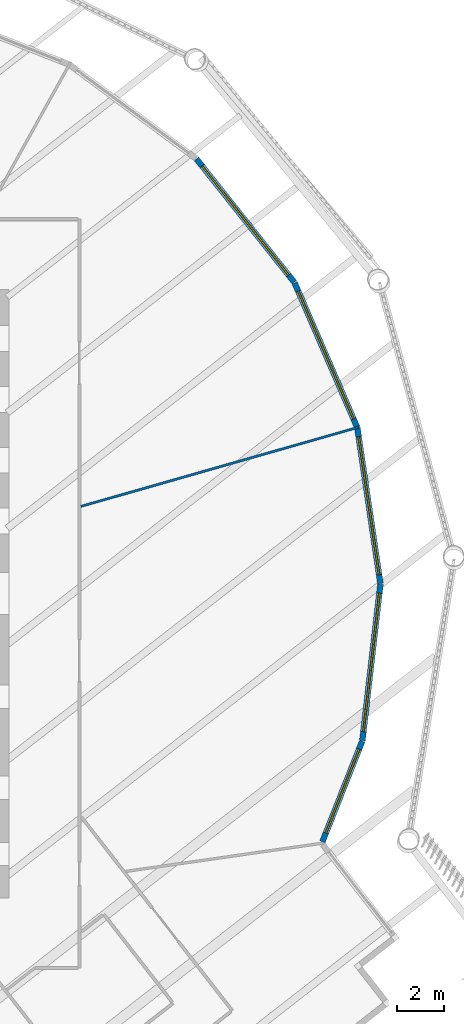
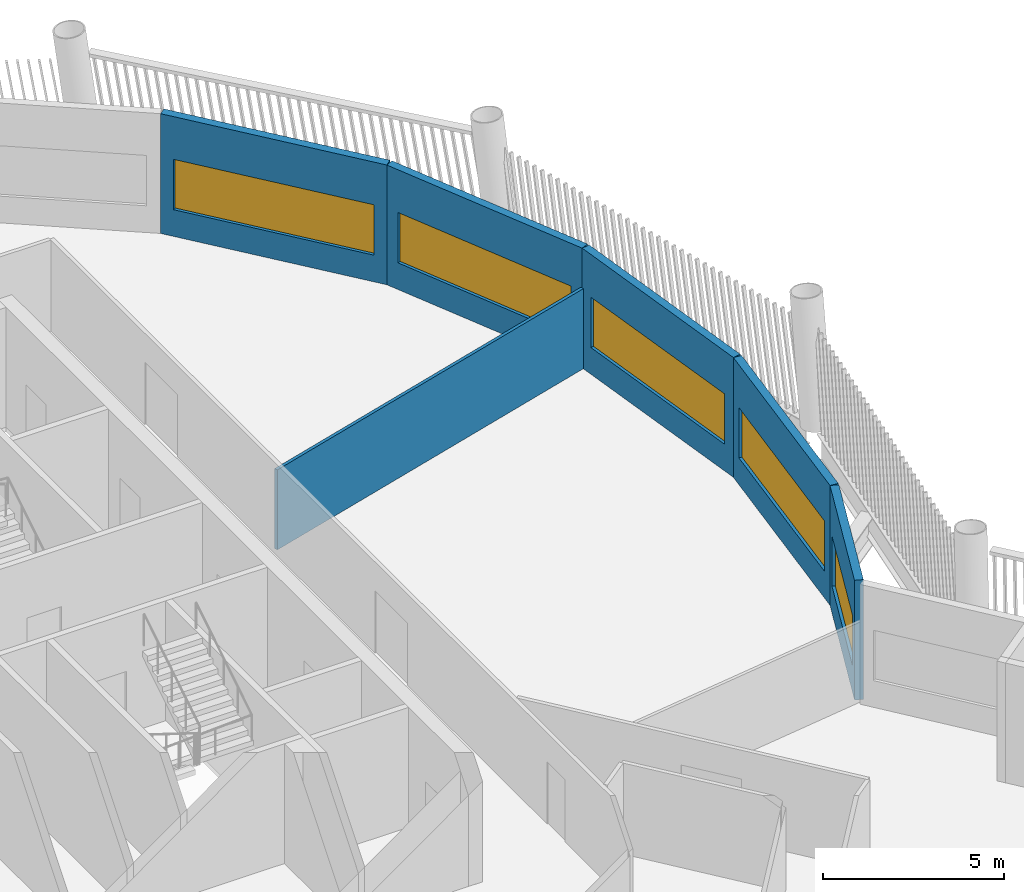
# One storey, part 20 of 28: 6 walls, 5 windows, 5 openings.
"""IFC4 building model written with IfcOpenShell, lengths in metres."""

from ifc_helpers import new_model, si_unit, direction, frame, frame_2d, origin, place, context, subcontext, project, spatial, rectangle, extrude, material, layer, layer_set, type_object, element, fill, save


model = new_model("IFC4")

# Units and contexts
model_context = context("Model", 3, precision=1e-05, world=origin(), true_north=direction((0.0, 1.0)))
body_context = subcontext(model_context, "Body", "Model", "MODEL_VIEW")
ifc_project = project(units=[si_unit("LENGTHUNIT", "METRE"), si_unit("AREAUNIT", "SQUARE_METRE"), si_unit("VOLUMEUNIT", "CUBIC_METRE"), si_unit("PLANEANGLEUNIT", "RADIAN"), si_unit("MASSUNIT", "GRAM", prefix="KILO")], contexts=[model_context])

# Site, building, storey
site_placement = place(None, origin())
site = spatial("IfcSite", under=ifc_project, at=site_placement, CompositionType="ELEMENT")
building_placement = place(site_placement, origin())
building = spatial("IfcBuilding", under=site, at=building_placement, Name="Tarsis Ring Headquarters", CompositionType="ELEMENT")
storey_placement = place(building_placement, frame((0.0, 0.0, 381.800048828125)))
storey = spatial("IfcBuildingStorey", under=building, at=storey_placement, Name="L90", CompositionType="ELEMENT", Elevation=381.800048828125)

# Wall
ifc_material_1 = material(Name="Gypsum board on steel studs", Category="steel")
ifc_layer_1 = layer(ifc_material_1, 0.10009765625)
ifc_layer_set_1 = layer_set([ifc_layer_1], Name="FL partition 100 unrated")
wall_type_1 = type_object("IfcWallType", Name="FL partition 100 unrated", PredefinedType="PARTITIONING", material=ifc_layer_set_1)
wall_1_placement = place(storey_placement, frame((13.0673828125, 3.727294921875, 0.0), z_axis=(0.0, 0.0, 1.0), x_axis=(0.961644612588, 0.274298448921, 0.0)))
element("IfcWall", 1, at=wall_1_placement, inside=storey, type_object=wall_type_1, Name="Partition PW3", PredefinedType="PARTITIONING", context=body_context, shape_type="SweptSolid", body=[
    extrude(rectangle(XDim=12.359375, YDim=0.10009765625, at=frame_2d((6.1796875, 0.0))), origin(), (0.0, 0.0, 1.0), 2.699951171875),
])

# Wall, opening, window
ifc_material_2 = material(Name="Terracotta clad insulated panel wall", Category="masonry")
ifc_layer_2 = layer(ifc_material_2, 0.25)
ifc_layer_set_2 = layer_set([ifc_layer_2], Name="Facade wall terracotta panel 250")
wall_type_2 = type_object("IfcWallType", Name="Facade wall terracotta panel 250", PredefinedType="STANDARD", material=ifc_layer_set_2)
wall_2_placement = place(storey_placement, frame((23.39208984375, -10.60400390625, 0.0), z_axis=(0.0, 0.0, 1.0), x_axis=(0.367805620633, 0.929902696754, 0.0)))
wall_2 = element("IfcWall", 2, at=wall_2_placement, inside=storey, type_object=wall_type_2, Name="External wall L90-17", PredefinedType="STANDARD", context=body_context, shape_type="SweptSolid", body=[
    extrude(rectangle(XDim=4.617919921875, YDim=0.25, at=frame_2d((2.30908203125, 0.0))), origin(), (0.0, 0.0, 1.0), 4.0400390625),
])
opening_1_placement = place(wall_2_placement, frame((0.400390625, 0.0, 0.89990234375)))
opening_1 = element("IfcOpeningElement", 3, at=opening_1_placement, cuts=wall_2, Name="Opening WN02", PredefinedType="OPENING", context=body_context, shape_type="SweptSolid", body=[
    extrude(rectangle(XDim=3.85009765625, YDim=1.699951171875, at=frame_2d((1.925048828125, 0.85009765625))), frame((0.0, 0.135009765625, 0.0), z_axis=(0.0, -1.0, 0.0), x_axis=(1.0, 0.0, 0.0)), (0.0, 0.0, 1.0), 0.27001953125),
])
ifc_material_3 = material(Name="Aluminium framed double glazing", Category="aluminium")
window_type_1 = type_object("IfcWindowType", Name="Facade window 3850 x 1700", PartitioningType="SINGLE_PANEL", PredefinedType="WINDOW", material=ifc_material_3)
window_1_placement = place(opening_1_placement, origin())
window_1 = element("IfcWindow", 4, at=window_1_placement, inside=storey, type_object=window_type_1, Name="Window L90-17.1", OverallHeight=1.699951171875, OverallWidth=3.85009765625, PartitioningType="SINGLE_PANEL", PredefinedType="WINDOW", context=body_context, shape_type="SweptSolid", body=[
    extrude(rectangle(XDim=3.85009765625, YDim=1.699951171875, at=frame_2d((1.925048828125, 0.85009765625))), frame((0.0, 0.030029296875, 0.0), z_axis=(0.0, -1.0, 0.0), x_axis=(1.0, 0.0, 0.0)), (0.0, 0.0, 1.0), 0.06005859375),
])
fill(opening_1, window_1)

wall_3_placement = place(storey_placement, frame((25.098388671875, -6.278076171875, 0.0), z_axis=(0.0, 0.0, 1.0), x_axis=(0.114596534886, 0.993412116995, 0.0)))
wall_3 = element("IfcWall", 5, at=wall_3_placement, inside=storey, type_object=wall_type_2, Name="External wall L90-18", PredefinedType="STANDARD", context=body_context, shape_type="SweptSolid", body=[
    extrude(rectangle(XDim=6.721435546875, YDim=0.25, at=frame_2d((3.36083984375, 0.0))), origin(), (0.0, 0.0, 1.0), 4.0400390625),
])
opening_2_placement = place(wall_3_placement, frame((0.3857421875, 0.0, 0.89990234375)))
opening_2 = element("IfcOpeningElement", 6, at=opening_2_placement, cuts=wall_3, Name="Opening WN07", PredefinedType="OPENING", context=body_context, shape_type="SweptSolid", body=[
    extrude(rectangle(XDim=5.949951171875, YDim=1.699951171875, at=frame_2d((2.97509765625, 0.85009765625))), frame((0.0, 0.135009765625, 0.0), z_axis=(0.0, -1.0, 0.0), x_axis=(1.0, 0.0, 0.0)), (0.0, 0.0, 1.0), 0.27001953125),
])
window_type_2 = type_object("IfcWindowType", Name="Facade window 5950 x 1700", PartitioningType="SINGLE_PANEL", PredefinedType="WINDOW", material=ifc_material_3)
window_2_placement = place(opening_2_placement, origin())
window_2 = element("IfcWindow", 7, at=window_2_placement, inside=storey, type_object=window_type_2, Name="Window L90-18.1", OverallHeight=1.699951171875, OverallWidth=5.949951171875, PartitioningType="SINGLE_PANEL", PredefinedType="WINDOW", context=body_context, shape_type="SweptSolid", body=[
    extrude(rectangle(XDim=5.949951171875, YDim=1.699951171875, at=frame_2d((2.97509765625, 0.85009765625))), frame((0.0, 0.030029296875, 0.0), z_axis=(0.0, -1.0, 0.0), x_axis=(1.0, 0.0, 0.0)), (0.0, 0.0, 1.0), 0.06005859375),
])
fill(opening_2, window_2)

wall_4_placement = place(storey_placement, frame((25.8681640625, 0.431640625, 0.0), z_axis=(0.0, 0.0, 1.0), x_axis=(-0.146413074671, 0.989223539735, 0.0)))
wall_4 = element("IfcWall", 8, at=wall_4_placement, inside=storey, type_object=wall_type_2, Name="External wall L90-19", PredefinedType="STANDARD", context=body_context, shape_type="SweptSolid", body=[
    extrude(rectangle(XDim=6.7216796875, YDim=0.25, at=frame_2d((3.36083984375, 0.0))), origin(), (0.0, 0.0, 1.0), 4.0400390625),
])
opening_3_placement = place(wall_4_placement, frame((0.3857421875, 0.0, 0.89990234375)))
opening_3 = element("IfcOpeningElement", 9, at=opening_3_placement, cuts=wall_4, Name="Opening WN07", PredefinedType="OPENING", context=body_context, shape_type="SweptSolid", body=[
    extrude(rectangle(XDim=5.949951171875, YDim=1.699951171875, at=frame_2d((2.97509765625, 0.85009765625))), frame((0.0, 0.135009765625, 0.0), z_axis=(0.0, -1.0, 0.0), x_axis=(1.0, 0.0, 0.0)), (0.0, 0.0, 1.0), 0.27001953125),
])
window_3_placement = place(opening_3_placement, origin())
window_3 = element("IfcWindow", 10, at=window_3_placement, inside=storey, type_object=window_type_2, Name="Window L90-19.1", OverallHeight=1.699951171875, OverallWidth=5.949951171875, PartitioningType="SINGLE_PANEL", PredefinedType="WINDOW", context=body_context, shape_type="SweptSolid", body=[
    extrude(rectangle(XDim=5.949951171875, YDim=1.699951171875, at=frame_2d((2.97509765625, 0.85009765625))), frame((0.0, 0.030029296875, 0.0), z_axis=(0.0, -1.0, 0.0), x_axis=(1.0, 0.0, 0.0)), (0.0, 0.0, 1.0), 0.06005859375),
])
fill(opening_3, window_3)

wall_5_placement = place(storey_placement, frame((24.875, 7.1123046875, 0.0), z_axis=(0.0, 0.0, 1.0), x_axis=(-0.397475939016, 0.917612596853, 0.0)))
wall_5 = element("IfcWall", 11, at=wall_5_placement, inside=storey, type_object=wall_type_2, Name="External wall L90-20", PredefinedType="STANDARD", context=body_context, shape_type="SweptSolid", body=[
    extrude(rectangle(XDim=6.721435546875, YDim=0.25, at=frame_2d((3.36083984375, 0.0))), origin(), (0.0, 0.0, 1.0), 4.0400390625),
])
opening_4_placement = place(wall_5_placement, frame((0.3857421875, 0.0, 0.89990234375)))
opening_4 = element("IfcOpeningElement", 12, at=opening_4_placement, cuts=wall_5, Name="Opening WN07", PredefinedType="OPENING", context=body_context, shape_type="SweptSolid", body=[
    extrude(rectangle(XDim=5.949951171875, YDim=1.699951171875, at=frame_2d((2.97509765625, 0.85009765625))), frame((0.0, 0.135009765625, 0.0), z_axis=(0.0, -1.0, 0.0), x_axis=(1.0, 0.0, 0.0)), (0.0, 0.0, 1.0), 0.27001953125),
])
window_4_placement = place(opening_4_placement, origin())
window_4 = element("IfcWindow", 13, at=window_4_placement, inside=storey, type_object=window_type_2, Name="Window L90-20.1", OverallHeight=1.699951171875, OverallWidth=5.949951171875, PartitioningType="SINGLE_PANEL", PredefinedType="WINDOW", context=body_context, shape_type="SweptSolid", body=[
    extrude(rectangle(XDim=5.949951171875, YDim=1.699951171875, at=frame_2d((2.97509765625, 0.85009765625))), frame((0.0, 0.030029296875, 0.0), z_axis=(0.0, -1.0, 0.0), x_axis=(1.0, 0.0, 0.0)), (0.0, 0.0, 1.0), 0.06005859375),
])
fill(opening_4, window_4)

wall_6_placement = place(storey_placement, frame((22.1865234375, 13.307861328125, 0.0), z_axis=(0.0, 0.0, 1.0), x_axis=(-0.621393942145, 0.783498288872, 0.0)))
wall_6 = element("IfcWall", 14, at=wall_6_placement, inside=storey, type_object=wall_type_2, Name="External wall L90-21", PredefinedType="STANDARD", context=body_context, shape_type="SweptSolid", body=[
    extrude(rectangle(XDim=6.7216796875, YDim=0.25, at=frame_2d((3.36083984375, 0.0))), origin(), (0.0, 0.0, 1.0), 4.0400390625),
])
opening_5_placement = place(wall_6_placement, frame((0.3857421875, 0.0, 0.89990234375)))
opening_5 = element("IfcOpeningElement", 15, at=opening_5_placement, cuts=wall_6, Name="Opening WN07", PredefinedType="OPENING", context=body_context, shape_type="SweptSolid", body=[
    extrude(rectangle(XDim=5.949951171875, YDim=1.699951171875, at=frame_2d((2.97509765625, 0.85009765625))), frame((0.0, 0.135009765625, 0.0), z_axis=(0.0, -1.0, 0.0), x_axis=(1.0, 0.0, 0.0)), (0.0, 0.0, 1.0), 0.27001953125),
])
window_5_placement = place(opening_5_placement, origin())
window_5 = element("IfcWindow", 16, at=window_5_placement, inside=storey, type_object=window_type_2, Name="Window L90-21.1", OverallHeight=1.699951171875, OverallWidth=5.949951171875, PartitioningType="SINGLE_PANEL", PredefinedType="WINDOW", context=body_context, shape_type="SweptSolid", body=[
    extrude(rectangle(XDim=5.949951171875, YDim=1.699951171875, at=frame_2d((2.97509765625, 0.85009765625))), frame((0.0, 0.030029296875, 0.0), z_axis=(0.0, -1.0, 0.0), x_axis=(1.0, 0.0, 0.0)), (0.0, 0.0, 1.0), 0.06005859375),
])
fill(opening_5, window_5)

save(model, "model.ifc")
